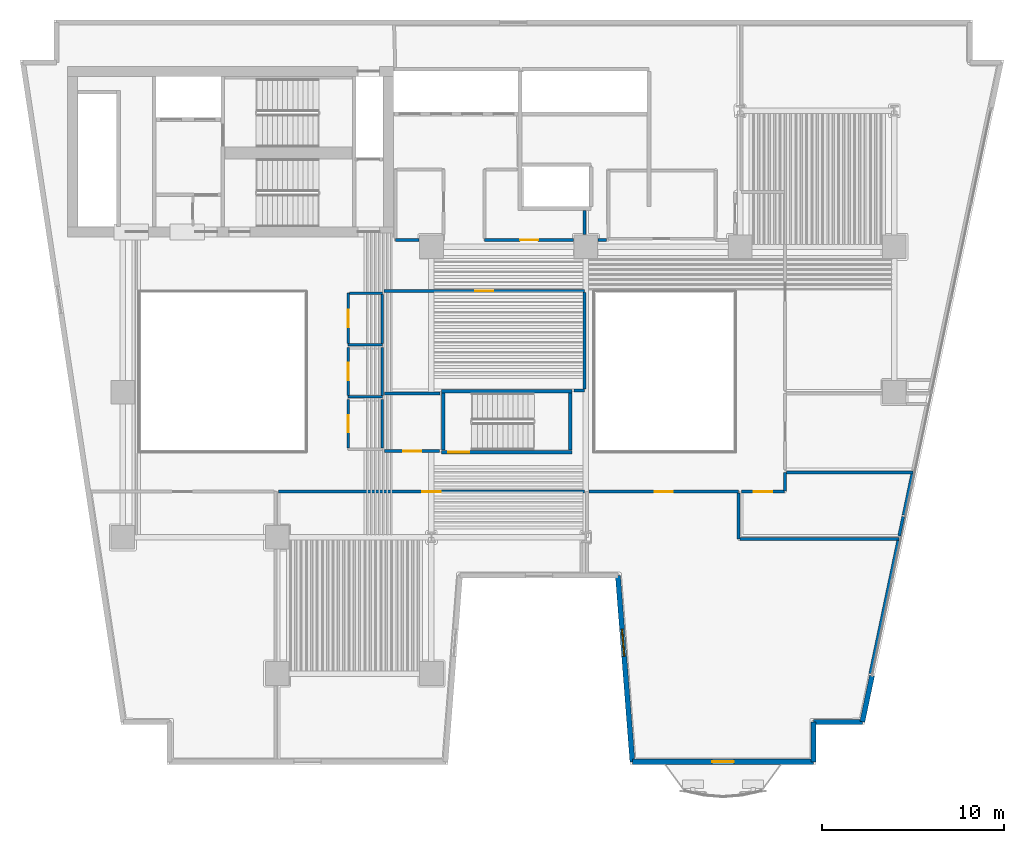
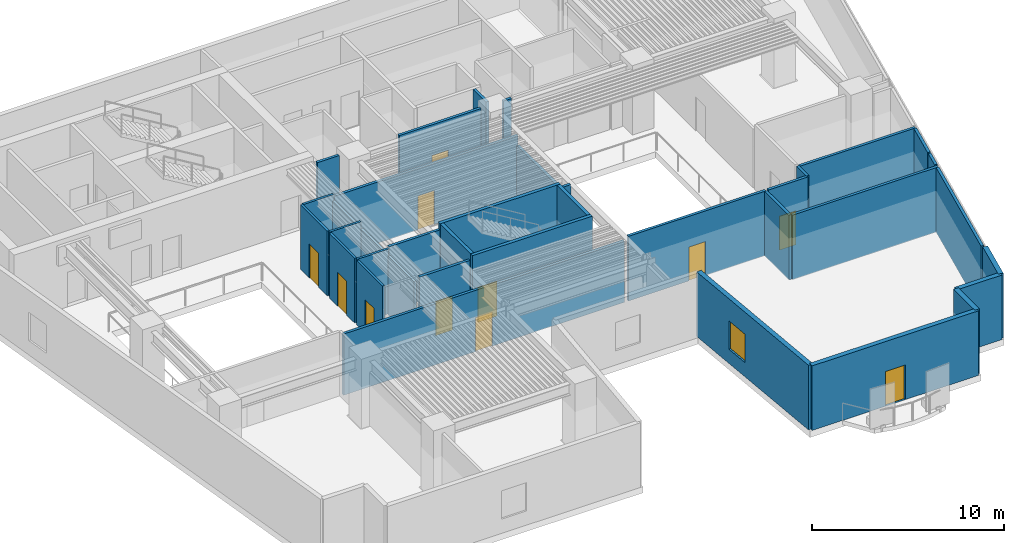
# One storey, part 4 of 12: 37 walls, 11 doors, 1 window, 12 openings.
"""IFC4 building model written with IfcOpenShell, lengths in metres."""

from ifc_helpers import new_model, si_unit, direction, frame, frame_2d, origin, place, context, subcontext, project, spatial, rectangle, extrude, material, layer, layer_set, type_object, element, fill, save


model = new_model("IFC4")

# Units and contexts
model_context = context("Model", 3, precision=1e-05, world=origin(), true_north=direction((0.0, 1.0)))
body_context = subcontext(model_context, "Body", "Model", "MODEL_VIEW")
ifc_project = project(units=[si_unit("LENGTHUNIT", "METRE"), si_unit("AREAUNIT", "SQUARE_METRE"), si_unit("VOLUMEUNIT", "CUBIC_METRE"), si_unit("PLANEANGLEUNIT", "RADIAN"), si_unit("MASSUNIT", "GRAM", prefix="KILO")], contexts=[model_context])

# Site, building, storey
site_placement = place(None, origin())
site = spatial("IfcSite", under=ifc_project, at=site_placement, CompositionType="ELEMENT")
building_placement = place(site_placement, origin())
building = spatial("IfcBuilding", under=site, at=building_placement, Name="Caeloran Harvest Quay", CompositionType="ELEMENT")
storey_placement = place(building_placement, frame((0.0, 0.0, 27.0)))
storey = spatial("IfcBuildingStorey", under=building, at=storey_placement, Name="L06", CompositionType="ELEMENT", Elevation=27.0)

# Walls
ifc_material_1 = material(Name="Precast concrete C50/60", Category="concrete")
ifc_layer_1 = layer(ifc_material_1, 0.280029296875, Name="Precast concrete C50/60")
ifc_layer_set_1 = layer_set([ifc_layer_1], Name="Precast concrete C50/60")
wall_type_1 = type_object("IfcWallType", Name="ENV-WALL-EW-280", PredefinedType="STANDARD", material=ifc_layer_set_1)
wall_1_placement = place(storey_placement, frame((49.77001953125, 7.384521484375, 0.0), z_axis=(0.0, 0.0, 1.0), x_axis=(-0.205551409765, -0.978646319128, 0.0)))
element("IfcWall", 1, at=wall_1_placement, inside=storey, type_object=wall_type_1, Name="L06 Exterior Facade Corner Pier Wall 9B", PredefinedType="STANDARD", context=body_context, shape_type="SweptSolid", body=[
    extrude(rectangle(XDim=2.599853515625, YDim=0.280029296875, at=frame_2d((1.2998046875, 0.0))), origin(), (0.0, 0.0, 1.0), 4.10009765625),
])
wall_2_placement = place(storey_placement, frame((49.235595703125, 4.840087890625, 0.0), z_axis=(0.0, 0.0, 1.0), x_axis=(-1.0, 0.0, 0.0)))
element("IfcWall", 2, at=wall_2_placement, inside=storey, type_object=wall_type_1, Name="L06 Exterior Precast Concrete Facade Wall 10", PredefinedType="STANDARD", context=body_context, shape_type="SweptSolid", body=[
    extrude(rectangle(XDim=2.6884765625, YDim=0.280029296875, at=frame_2d((1.34423828125, 0.0))), origin(), (0.0, 0.0, 1.0), 4.10009765625),
])
wall_3_placement = place(storey_placement, frame((46.547119140625, 4.840087890625, 0.0), z_axis=(0.0, 0.0, 1.0), x_axis=(0.0, -1.0, 0.0)))
element("IfcWall", 3, at=wall_3_placement, inside=storey, type_object=wall_type_1, Name="L06 Exterior Precast Concrete Facade Wall 11", PredefinedType="STANDARD", context=body_context, shape_type="SweptSolid", body=[
    extrude(rectangle(XDim=2.2001953125, YDim=0.280029296875, at=frame_2d((1.10009765625, 0.0))), origin(), (0.0, 0.0, 1.0), 4.10009765625),
])

# Wall, opening, door
wall_4_placement = place(storey_placement, frame((46.547119140625, 2.639892578125, 0.0), z_axis=(0.0, 0.0, 1.0), x_axis=(-1.0, 0.0, 0.0)))
wall_4 = element("IfcWall", 4, at=wall_4_placement, inside=storey, type_object=wall_type_1, Name="L06 Exterior Precast Concrete Facade Wall 12", PredefinedType="STANDARD", context=body_context, shape_type="SweptSolid", body=[
    extrude(rectangle(XDim=9.97705078125, YDim=0.280029296875, at=frame_2d((4.988525390625, 0.0))), origin(), (0.0, 0.0, 1.0), 4.10009765625),
])
opening_1_placement = place(wall_4_placement, frame((4.387939453125, 0.0, 0.0)))
opening_1 = element("IfcOpeningElement", 5, at=opening_1_placement, cuts=wall_4, Name="Opening BD-01", PredefinedType="OPENING", context=body_context, shape_type="SweptSolid", body=[
    extrude(rectangle(XDim=1.199951171875, YDim=2.199951171875, at=frame_2d((0.60009765625, 1.10009765625))), frame((0.0, 0.14990234375, 0.0), z_axis=(0.0, -1.0, 0.0), x_axis=(1.0, 0.0, 0.0)), (0.0, 0.0, 1.0), 0.300048828125),
])
ifc_material_2 = material(Name="Thermally Broken Powder-Coated Aluminium and Safety Glass", Category="aluminium")
door_type_1 = type_object("IfcDoorType", Name="EXTDOOR-BD-01", OperationType="NOTDEFINED", PredefinedType="DOOR", material=ifc_material_2)
door_1_placement = place(opening_1_placement, origin())
door_1 = element("IfcDoor", 6, at=door_1_placement, inside=storey, type_object=door_type_1, Name="L06 Planted Balcony Glazed Access Door", OperationType="SINGLE_SWING_LEFT", OverallHeight=2.199951171875, OverallWidth=1.199951171875, PredefinedType="DOOR", context=body_context, shape_type="SweptSolid", body=[
    extrude(rectangle(XDim=1.199951171875, YDim=2.199951171875, at=frame_2d((0.60009765625, 1.10009765625))), frame((0.0, 0.02490234375, 0.0), z_axis=(0.0, -1.0, 0.0), x_axis=(1.0, 0.0, 0.0)), (0.0, 0.0, 1.0), 0.050048828125),
])
fill(opening_1, door_1)

# Wall, opening, window
wall_5_placement = place(storey_placement, frame((36.570068359375, 2.639892578125, 0.0), z_axis=(0.0, 0.0, 1.0), x_axis=(-0.077816860153, 0.996967670627, 0.0)))
wall_5 = element("IfcWall", 7, at=wall_5_placement, inside=storey, type_object=wall_type_1, Name="L06 Exterior Precast Concrete Facade Wall 13", PredefinedType="STANDARD", context=body_context, shape_type="SweptSolid", body=[
    extrude(rectangle(XDim=10.28125, YDim=0.280029296875, at=frame_2d((5.140625, 0.0))), origin(), (0.0, 0.0, 1.0), 4.10009765625),
])
opening_2_placement = place(wall_5_placement, frame((5.830078125, 0.0, 0.89990234375)))
opening_2 = element("IfcOpeningElement", 8, at=opening_2_placement, cuts=wall_5, Name="Opening W-03", PredefinedType="OPENING", context=body_context, shape_type="SweptSolid", body=[
    extrude(rectangle(XDim=1.5, YDim=1.800048828125, at=frame_2d((0.75, 0.89990234375))), frame((0.0, 0.14990234375, 0.0), z_axis=(0.0, -1.0, 0.0), x_axis=(1.0, 0.0, 0.0)), (0.0, 0.0, 1.0), 0.300048828125),
])
ifc_material_3 = material(Name="Aluminium-Framed Low-E Laminated Glass", Category="aluminium")
window_type = type_object("IfcWindowType", Name="WIN-W-03", PartitioningType="SINGLE_PANEL", PredefinedType="WINDOW", material=ifc_material_3)
window_placement = place(opening_2_placement, origin())
window = element("IfcWindow", 9, at=window_placement, inside=storey, type_object=window_type, Name="L06 Facade Punched Window W-03", OverallHeight=1.800048828125, OverallWidth=1.5, PartitioningType="SINGLE_PANEL", PredefinedType="WINDOW", context=body_context, shape_type="SweptSolid", body=[
    extrude(rectangle(XDim=1.5, YDim=1.800048828125, at=frame_2d((0.75, 0.89990234375))), frame((0.0, 0.030029296875, 0.0), z_axis=(0.0, -1.0, 0.0), x_axis=(1.0, 0.0, 0.0)), (0.0, 0.0, 1.0), 0.06005859375),
])
fill(opening_2, window)

# Wall
ifc_material_4 = material(Name="Moisture-Resistant Cement-Board Sanitary Partition", Category="gypsum")
ifc_layer_2 = layer(ifc_material_4, 0.139892578125, Name="Moisture-Resistant Cement-Board Sanitary Partition")
ifc_layer_set_2 = layer_set([ifc_layer_2], Name="Moisture-Resistant Cement-Board Sanitary Partition")
wall_type_2 = type_object("IfcWallType", Name="INT-WALL-PW-140", PredefinedType="PARTITIONING", material=ifc_layer_set_2)
wall_6_placement = place(storey_placement, frame((22.800048828125, 25.60009765625, 0.0), z_axis=(0.0, 0.0, 1.0), x_axis=(-1.0, 0.0, 0.0)))
element("IfcWall", 10, at=wall_6_placement, inside=storey, type_object=wall_type_2, Name="L06 Male Washroom WC Partition Wall", PredefinedType="PARTITIONING", context=body_context, shape_type="SweptSolid", body=[
    extrude(rectangle(XDim=1.89013671875, YDim=0.139892578125, at=frame_2d((0.945068359375, 0.0))), origin(), (0.0, 0.0, 1.0), 4.10009765625),
])

# Wall, opening, door
wall_7_placement = place(storey_placement, frame((20.909912109375, 25.675048828125, 0.0), z_axis=(0.0, 0.0, 1.0), x_axis=(0.0, 1.0, 0.0)))
wall_7 = element("IfcWall", 11, at=wall_7_placement, inside=storey, type_object=wall_type_2, Name="L06 Male Washroom WC Partition Wall", PredefinedType="PARTITIONING", context=body_context, shape_type="SweptSolid", body=[
    extrude(rectangle(XDim=2.77490234375, YDim=0.139892578125, at=frame_2d((1.387451171875, 0.0))), origin(), (0.0, 0.0, 1.0), 4.10009765625),
])
opening_3_placement = place(wall_7_placement, frame((0.91259765625, 0.0, 0.0)))
opening_3 = element("IfcOpeningElement", 12, at=opening_3_placement, cuts=wall_7, Name="Opening WC-01", PredefinedType="OPENING", context=body_context, shape_type="SweptSolid", body=[
    extrude(rectangle(XDim=0.949951171875, YDim=2.14990234375, at=frame_2d((0.47509765625, 1.074951171875))), frame((0.0, 0.080078125, 0.0), z_axis=(0.0, -1.0, 0.0), x_axis=(1.0, 0.0, 0.0)), (0.0, 0.0, 1.0), 0.159912109375),
])
ifc_material_5 = material(Name="High-Pressure Laminate Moisture-Resistant Timber", Category="wood")
door_type_2 = type_object("IfcDoorType", Name="INTDOOR-WC-01", OperationType="NOTDEFINED", PredefinedType="DOOR", material=ifc_material_5)
door_2_placement = place(opening_3_placement, origin())
door_2 = element("IfcDoor", 13, at=door_2_placement, inside=storey, type_object=door_type_2, Name="L06 Male Washroom WC Access Door", OperationType="SINGLE_SWING_RIGHT", OverallHeight=2.14990234375, OverallWidth=0.949951171875, PredefinedType="DOOR", context=body_context, shape_type="SweptSolid", body=[
    extrude(rectangle(XDim=0.949951171875, YDim=2.14990234375, at=frame_2d((0.47509765625, 1.074951171875))), frame((0.0, 0.02490234375, 0.0), z_axis=(0.0, -1.0, 0.0), x_axis=(1.0, 0.0, 0.0)), (0.0, 0.0, 1.0), 0.050048828125),
])
fill(opening_3, door_2)

# Walls
wall_8_placement = place(storey_placement, frame((20.985107421875, 28.449951171875, 0.0), z_axis=(0.0, 0.0, 1.0), x_axis=(1.0, 0.0, 0.0)))
element("IfcWall", 14, at=wall_8_placement, inside=storey, type_object=wall_type_2, Name="L06 Male Washroom WC Partition Wall", PredefinedType="PARTITIONING", context=body_context, shape_type="SweptSolid", body=[
    extrude(rectangle(XDim=1.81494140625, YDim=0.139892578125, at=frame_2d((0.907470703125, 0.0))), origin(), (0.0, 0.0, 1.0), 4.10009765625),
])
wall_9_placement = place(storey_placement, frame((22.800048828125, 28.375, 0.0), z_axis=(0.0, 0.0, 1.0), x_axis=(0.0, -1.0, 0.0)))
element("IfcWall", 15, at=wall_9_placement, inside=storey, type_object=wall_type_2, Name="L06 Male Washroom WC Partition Wall", PredefinedType="PARTITIONING", context=body_context, shape_type="SweptSolid", body=[
    extrude(rectangle(XDim=2.699951171875, YDim=0.139892578125, at=frame_2d((1.35009765625, 0.0))), origin(), (0.0, 0.0, 1.0), 3.72509765625),
])
wall_10_placement = place(storey_placement, frame((22.800048828125, 22.75, 0.0), z_axis=(0.0, 0.0, 1.0), x_axis=(-1.0, 0.0, 0.0)))
element("IfcWall", 16, at=wall_10_placement, inside=storey, type_object=wall_type_2, Name="L06 Female Washroom WC Partition Wall", PredefinedType="PARTITIONING", context=body_context, shape_type="SweptSolid", body=[
    extrude(rectangle(XDim=1.89013671875, YDim=0.139892578125, at=frame_2d((0.945068359375, 0.0))), origin(), (0.0, 0.0, 1.0), 4.10009765625),
])

# Wall, opening, door
wall_11_placement = place(storey_placement, frame((20.909912109375, 22.824951171875, 0.0), z_axis=(0.0, 0.0, 1.0), x_axis=(0.0, 1.0, 0.0)))
wall_11 = element("IfcWall", 17, at=wall_11_placement, inside=storey, type_object=wall_type_2, Name="L06 Female Washroom WC Partition Wall", PredefinedType="PARTITIONING", context=body_context, shape_type="SweptSolid", body=[
    extrude(rectangle(XDim=2.625, YDim=0.139892578125, at=frame_2d((1.3125, 0.0))), origin(), (0.0, 0.0, 1.0), 4.10009765625),
])
opening_4_placement = place(wall_11_placement, frame((0.83740234375, 0.0, 0.0)))
opening_4 = element("IfcOpeningElement", 18, at=opening_4_placement, cuts=wall_11, Name="Opening WC-01", PredefinedType="OPENING", context=body_context, shape_type="SweptSolid", body=[
    extrude(rectangle(XDim=0.949951171875, YDim=2.14990234375, at=frame_2d((0.47509765625, 1.074951171875))), frame((0.0, 0.080078125, 0.0), z_axis=(0.0, -1.0, 0.0), x_axis=(1.0, 0.0, 0.0)), (0.0, 0.0, 1.0), 0.159912109375),
])
door_3_placement = place(opening_4_placement, origin())
door_3 = element("IfcDoor", 19, at=door_3_placement, inside=storey, type_object=door_type_2, Name="L06 Female Washroom WC Access Door", OperationType="SINGLE_SWING_LEFT", OverallHeight=2.14990234375, OverallWidth=0.949951171875, PredefinedType="DOOR", context=body_context, shape_type="SweptSolid", body=[
    extrude(rectangle(XDim=0.949951171875, YDim=2.14990234375, at=frame_2d((0.47509765625, 1.074951171875))), frame((0.0, 0.02490234375, 0.0), z_axis=(0.0, -1.0, 0.0), x_axis=(1.0, 0.0, 0.0)), (0.0, 0.0, 1.0), 0.050048828125),
])
fill(opening_4, door_3)

# Wall
wall_12_placement = place(storey_placement, frame((22.800048828125, 25.449951171875, 0.0), z_axis=(0.0, 0.0, 1.0), x_axis=(0.0, -1.0, 0.0)))
element("IfcWall", 20, at=wall_12_placement, inside=storey, type_object=wall_type_2, Name="L06 Female Washroom WC Partition Wall", PredefinedType="PARTITIONING", context=body_context, shape_type="SweptSolid", body=[
    extrude(rectangle(XDim=2.625, YDim=0.139892578125, at=frame_2d((1.3125, 0.0))), origin(), (0.0, 0.0, 1.0), 3.72509765625),
])

# Wall, opening, door
wall_13_placement = place(storey_placement, frame((20.909912109375, 19.925048828125, 0.0), z_axis=(0.0, 0.0, 1.0), x_axis=(0.0, 1.0, 0.0)))
wall_13 = element("IfcWall", 21, at=wall_13_placement, inside=storey, type_object=wall_type_2, Name="L06 Accessible Unisex Washroom WC Partition Wall", PredefinedType="PARTITIONING", context=body_context, shape_type="SweptSolid", body=[
    extrude(rectangle(XDim=2.675048828125, YDim=0.139892578125, at=frame_2d((1.33740234375, 0.0))), origin(), (0.0, 0.0, 1.0), 4.10009765625),
])
opening_5_placement = place(wall_13_placement, frame((0.862548828125, 0.0, 0.0)))
opening_5 = element("IfcOpeningElement", 22, at=opening_5_placement, cuts=wall_13, Name="Opening WC-01", PredefinedType="OPENING", context=body_context, shape_type="SweptSolid", body=[
    extrude(rectangle(XDim=0.949951171875, YDim=2.14990234375, at=frame_2d((0.47509765625, 1.074951171875))), frame((0.0, 0.080078125, 0.0), z_axis=(0.0, -1.0, 0.0), x_axis=(1.0, 0.0, 0.0)), (0.0, 0.0, 1.0), 0.159912109375),
])
door_4_placement = place(opening_5_placement, origin())
door_4 = element("IfcDoor", 23, at=door_4_placement, inside=storey, type_object=door_type_2, Name="L06 Accessible Unisex Washroom WC Access Door", OperationType="SINGLE_SWING_RIGHT", OverallHeight=2.14990234375, OverallWidth=0.949951171875, PredefinedType="DOOR", context=body_context, shape_type="SweptSolid", body=[
    extrude(rectangle(XDim=0.949951171875, YDim=2.14990234375, at=frame_2d((0.47509765625, 1.074951171875))), frame((0.0, 0.02490234375, 0.0), z_axis=(0.0, -1.0, 0.0), x_axis=(1.0, 0.0, 0.0)), (0.0, 0.0, 1.0), 0.050048828125),
])
fill(opening_5, door_4)

# Wall
wall_14_placement = place(storey_placement, frame((22.800048828125, 22.60009765625, 0.0), z_axis=(0.0, 0.0, 1.0), x_axis=(0.0, -1.0, 0.0)))
element("IfcWall", 24, at=wall_14_placement, inside=storey, type_object=wall_type_2, Name="L06 Accessible Unisex Washroom WC Partition Wall", PredefinedType="PARTITIONING", context=body_context, shape_type="SweptSolid", body=[
    extrude(rectangle(XDim=2.675048828125, YDim=0.139892578125, at=frame_2d((1.33740234375, 0.0))), origin(), (0.0, 0.0, 1.0), 3.72509765625),
])

# Wall, opening, door
ifc_material_6 = material(Name="Autoclaved Aerated Concrete Blockwork", Category="masonry")
ifc_layer_3 = layer(ifc_material_6, 0.1650390625, Name="Autoclaved Aerated Concrete Blockwork")
ifc_layer_set_3 = layer_set([ifc_layer_3], Name="Autoclaved Aerated Concrete Blockwork")
wall_type_3 = type_object("IfcWallType", Name="INT-WALL-PW-165", PredefinedType="PARTITIONING", material=ifc_layer_set_3)
wall_15_placement = place(storey_placement, frame((34.16748046875, 17.52001953125, 0.0), z_axis=(0.0, 0.0, 1.0), x_axis=(1.0, 0.0, 0.0)))
wall_15 = element("IfcWall", 25, at=wall_15_placement, inside=storey, type_object=wall_type_3, Name="Leafy-Greens Hydroponic Growing Hall Partition Wall", PredefinedType="PARTITIONING", context=body_context, shape_type="SweptSolid", body=[
    extrude(rectangle(XDim=8.25244140625, YDim=0.1650390625, at=frame_2d((4.126220703125, 0.0))), origin(), (0.0, 0.0, 1.0), 4.10009765625),
])
opening_6_placement = place(wall_15_placement, frame((3.626220703125, 0.0, 0.0)))
opening_6 = element("IfcOpeningElement", 26, at=opening_6_placement, cuts=wall_15, Name="Opening ID-01", PredefinedType="OPENING", context=body_context, shape_type="SweptSolid", body=[
    extrude(rectangle(XDim=1.0, YDim=2.14990234375, at=frame_2d((0.5, 1.074951171875))), frame((0.0, 0.092529296875, 0.0), z_axis=(0.0, -1.0, 0.0), x_axis=(1.0, 0.0, 0.0)), (0.0, 0.0, 1.0), 0.18505859375),
])
ifc_material_7 = material(Name="FSC Solid-Core Ash Timber and Acoustic Seal", Category="wood")
door_type_3 = type_object("IfcDoorType", Name="INTDOOR-ID-01", OperationType="NOTDEFINED", PredefinedType="DOOR", material=ifc_material_7)
door_5_placement = place(opening_6_placement, origin())
door_5 = element("IfcDoor", 27, at=door_5_placement, inside=storey, type_object=door_type_3, Name="Leafy-Greens Hydroponic Growing Hall Access Door", OperationType="SINGLE_SWING_LEFT", OverallHeight=2.14990234375, OverallWidth=1.0, PredefinedType="DOOR", context=body_context, shape_type="SweptSolid", body=[
    extrude(rectangle(XDim=1.0, YDim=2.14990234375, at=frame_2d((0.5, 1.074951171875))), frame((0.0, 0.02490234375, 0.0), z_axis=(0.0, -1.0, 0.0), x_axis=(1.0, 0.0, 0.0)), (0.0, 0.0, 1.0), 0.050048828125),
])
fill(opening_6, door_5)

# Walls
wall_16_placement = place(storey_placement, frame((42.419921875, 17.4326171875, 0.0), z_axis=(0.0, 0.0, 1.0), x_axis=(0.0, -1.0, 0.0)))
element("IfcWall", 28, at=wall_16_placement, inside=storey, type_object=wall_type_3, Name="Leafy-Greens Hydroponic Growing Hall Partition Wall", PredefinedType="PARTITIONING", context=body_context, shape_type="SweptSolid", body=[
    extrude(rectangle(XDim=2.5126953125, YDim=0.1650390625, at=frame_2d((1.25634765625, 0.0))), origin(), (0.0, 0.0, 1.0), 4.10009765625),
])
wall_17_placement = place(storey_placement, frame((42.507568359375, 14.919921875, 0.0), z_axis=(0.0, 0.0, 1.0), x_axis=(1.0, 0.0, 0.0)))
element("IfcWall", 29, at=wall_17_placement, inside=storey, type_object=wall_type_3, Name="Leafy-Greens Hydroponic Growing Hall Partition Wall", PredefinedType="PARTITIONING", context=body_context, shape_type="SweptSolid", body=[
    extrude(rectangle(XDim=8.73828125, YDim=0.1650390625, at=frame_2d((4.369140625, 0.0))), origin(), (0.0, 0.0, 1.0), 4.10009765625),
])
wall_18_placement = place(storey_placement, frame((51.211669921875, 14.83251953125, 0.0), z_axis=(0.0, 0.0, 1.0), x_axis=(-0.205558750788, -0.978644777217, 0.0)))
element("IfcWall", 30, at=wall_18_placement, inside=storey, type_object=wall_type_3, Name="Leafy-Greens Hydroponic Growing Hall Partition Wall", PredefinedType="PARTITIONING", context=body_context, shape_type="SweptSolid", body=[
    extrude(rectangle(XDim=7.49072265625, YDim=0.1650390625, at=frame_2d((3.745361328125, 0.0))), origin(), (0.0, 0.0, 1.0), 4.10009765625),
])

# Wall, opening, door
wall_19_placement = place(storey_placement, frame((17.080078125, 17.52001953125, 0.0), z_axis=(0.0, 0.0, 1.0), x_axis=(1.0, 0.0, 0.0)))
wall_19 = element("IfcWall", 31, at=wall_19_placement, inside=storey, type_object=wall_type_3, Name="Seedling Nursery Room Partition Wall", PredefinedType="PARTITIONING", context=body_context, shape_type="SweptSolid", body=[
    extrude(rectangle(XDim=16.83984375, YDim=0.1650390625, at=frame_2d((8.419921875, 0.0))), origin(), (0.0, 0.0, 1.0), 3.885009765625),
])
opening_7_placement = place(wall_19_placement, frame((7.919921875, 0.0, 0.0)))
opening_7 = element("IfcOpeningElement", 32, at=opening_7_placement, cuts=wall_19, Name="Opening ID-01", PredefinedType="OPENING", context=body_context, shape_type="SweptSolid", body=[
    extrude(rectangle(XDim=1.0, YDim=2.14990234375, at=frame_2d((0.5, 1.074951171875))), frame((0.0, 0.092529296875, 0.0), z_axis=(0.0, -1.0, 0.0), x_axis=(1.0, 0.0, 0.0)), (0.0, 0.0, 1.0), 0.18505859375),
])
door_6_placement = place(opening_7_placement, origin())
door_6 = element("IfcDoor", 33, at=door_6_placement, inside=storey, type_object=door_type_3, Name="Seedling Nursery Room Access Door", OperationType="SINGLE_SWING_LEFT", OverallHeight=2.14990234375, OverallWidth=1.0, PredefinedType="DOOR", context=body_context, shape_type="SweptSolid", body=[
    extrude(rectangle(XDim=1.0, YDim=2.14990234375, at=frame_2d((0.5, 1.074951171875))), frame((0.0, 0.02490234375, 0.0), z_axis=(0.0, -1.0, 0.0), x_axis=(1.0, 0.0, 0.0)), (0.0, 0.0, 1.0), 0.050048828125),
])
fill(opening_7, door_6)

# Walls
wall_20_placement = place(storey_placement, frame((44.97998046875, 17.550048828125, 0.0), z_axis=(0.0, 0.0, 1.0), x_axis=(0.0, 1.0, 0.0)))
element("IfcWall", 34, at=wall_20_placement, inside=storey, type_object=wall_type_3, Name="Nutrient QA Laboratory Partition Wall", PredefinedType="PARTITIONING", context=body_context, shape_type="SweptSolid", body=[
    extrude(rectangle(XDim=1.02001953125, YDim=0.1650390625, at=frame_2d((0.510009765625, 0.0))), origin(), (0.0, 0.0, 1.0), 4.10009765625),
])
wall_21_placement = place(storey_placement, frame((45.0673828125, 18.570068359375, 0.0), z_axis=(0.0, 0.0, 1.0), x_axis=(1.0, 0.0, 0.0)))
element("IfcWall", 35, at=wall_21_placement, inside=storey, type_object=wall_type_3, Name="Nutrient QA Laboratory Partition Wall", PredefinedType="PARTITIONING", context=body_context, shape_type="SweptSolid", body=[
    extrude(rectangle(XDim=6.945068359375, YDim=0.1650390625, at=frame_2d((3.47265625, 0.0))), origin(), (0.0, 0.0, 1.0), 4.10009765625),
])
wall_22_placement = place(storey_placement, frame((51.978515625, 18.482421875, 0.0), z_axis=(0.0, 0.0, 1.0), x_axis=(-0.205352569868, -0.978688061666, 0.0)))
element("IfcWall", 36, at=wall_22_placement, inside=storey, type_object=wall_type_3, Name="Nutrient QA Laboratory Partition Wall", PredefinedType="PARTITIONING", context=body_context, shape_type="SweptSolid", body=[
    extrude(rectangle(XDim=2.300537109375, YDim=0.1650390625, at=frame_2d((1.150390625, 0.0))), origin(), (0.0, 0.0, 1.0), 4.10009765625),
])
wall_23_placement = place(storey_placement, frame((51.486572265625, 16.138427734375, 0.0), z_axis=(0.0, 0.0, 1.0), x_axis=(-0.205873957853, -0.978578516767, 0.0)))
element("IfcWall", 37, at=wall_23_placement, inside=storey, type_object=wall_type_3, Name="Nutrient QA Laboratory Partition Wall", PredefinedType="PARTITIONING", context=body_context, shape_type="SweptSolid", body=[
    extrude(rectangle(XDim=1.08154296875, YDim=0.1650390625, at=frame_2d((0.540771484375, 0.0))), origin(), (0.0, 0.0, 1.0), 4.10009765625),
])

# Wall, opening, door
wall_24_placement = place(storey_placement, frame((42.580078125, 17.52001953125, 0.0), z_axis=(0.0, 0.0, 1.0), x_axis=(1.0, 0.0, 0.0)))
wall_24 = element("IfcWall", 38, at=wall_24_placement, inside=storey, type_object=wall_type_3, Name="Nutrient QA Laboratory Partition Wall", PredefinedType="PARTITIONING", context=body_context, shape_type="SweptSolid", body=[
    extrude(rectangle(XDim=2.369873046875, YDim=0.1650390625, at=frame_2d((1.18505859375, 0.0))), origin(), (0.0, 0.0, 1.0), 4.10009765625),
])
opening_8_placement = place(wall_24_placement, frame((0.68505859375, 0.0, 0.0)))
opening_8 = element("IfcOpeningElement", 39, at=opening_8_placement, cuts=wall_24, Name="Opening ID-01", PredefinedType="OPENING", context=body_context, shape_type="SweptSolid", body=[
    extrude(rectangle(XDim=1.0, YDim=2.14990234375, at=frame_2d((0.5, 1.074951171875))), frame((0.0, 0.092529296875, 0.0), z_axis=(0.0, -1.0, 0.0), x_axis=(1.0, 0.0, 0.0)), (0.0, 0.0, 1.0), 0.18505859375),
])
door_7_placement = place(opening_8_placement, origin())
door_7 = element("IfcDoor", 40, at=door_7_placement, inside=storey, type_object=door_type_3, Name="Nutrient QA Laboratory Access Door", OperationType="SINGLE_SWING_RIGHT", OverallHeight=2.14990234375, OverallWidth=1.0, PredefinedType="DOOR", context=body_context, shape_type="SweptSolid", body=[
    extrude(rectangle(XDim=1.0, YDim=2.14990234375, at=frame_2d((0.5, 1.074951171875))), frame((0.0, 0.02490234375, 0.0), z_axis=(0.0, -1.0, 0.0), x_axis=(1.0, 0.0, 0.0)), (0.0, 0.0, 1.0), 0.050048828125),
])
fill(opening_8, door_7)

wall_25_placement = place(storey_placement, frame((25.95556640625, 19.75, 0.0), z_axis=(0.0, 0.0, 1.0), x_axis=(-1.0, 0.0, 0.0)))
wall_25 = element("IfcWall", 41, at=wall_25_placement, inside=storey, type_object=wall_type_3, Name="Agronomist Office Partition Wall", PredefinedType="PARTITIONING", context=body_context, shape_type="SweptSolid", body=[
    extrude(rectangle(XDim=3.045654296875, YDim=0.1650390625, at=frame_2d((1.52294921875, 0.0))), origin(), (0.0, 0.0, 1.0), 4.10009765625),
])
opening_9_placement = place(wall_25_placement, frame((1.022705078125, 0.0, 0.0)))
opening_9 = element("IfcOpeningElement", 42, at=opening_9_placement, cuts=wall_25, Name="Opening ID-01", PredefinedType="OPENING", context=body_context, shape_type="SweptSolid", body=[
    extrude(rectangle(XDim=1.0, YDim=2.14990234375, at=frame_2d((0.5, 1.074951171875))), frame((0.0, 0.092529296875, 0.0), z_axis=(0.0, -1.0, 0.0), x_axis=(1.0, 0.0, 0.0)), (0.0, 0.0, 1.0), 0.18505859375),
])
door_8_placement = place(opening_9_placement, origin())
door_8 = element("IfcDoor", 43, at=door_8_placement, inside=storey, type_object=door_type_3, Name="Agronomist Office Access Door", OperationType="SINGLE_SWING_RIGHT", OverallHeight=2.14990234375, OverallWidth=1.0, PredefinedType="DOOR", context=body_context, shape_type="SweptSolid", body=[
    extrude(rectangle(XDim=1.0, YDim=2.14990234375, at=frame_2d((0.5, 1.074951171875))), frame((0.0, 0.02490234375, 0.0), z_axis=(0.0, -1.0, 0.0), x_axis=(1.0, 0.0, 0.0)), (0.0, 0.0, 1.0), 0.050048828125),
])
fill(opening_9, door_8)

# Walls
wall_26_placement = place(storey_placement, frame((22.909912109375, 22.919921875, 0.0), z_axis=(0.0, 0.0, 1.0), x_axis=(1.0, 0.0, 0.0)))
element("IfcWall", 44, at=wall_26_placement, inside=storey, type_object=wall_type_3, Name="Agronomist Office Partition Wall", PredefinedType="PARTITIONING", context=body_context, shape_type="SweptSolid", body=[
    extrude(rectangle(XDim=3.050537109375, YDim=0.1650390625, at=frame_2d((1.525390625, 0.0))), origin(), (0.0, 0.0, 1.0), 4.10009765625),
])
wall_27_placement = place(storey_placement, frame((33.919921875, 23.080078125, 0.0), z_axis=(0.0, 0.0, 1.0), x_axis=(-1.0, 0.0, 0.0)))
element("IfcWall", 45, at=wall_27_placement, inside=storey, type_object=wall_type_3, Name="Staff Tea Lounge Partition Wall", PredefinedType="PARTITIONING", context=body_context, shape_type="SweptSolid", body=[
    extrude(rectangle(XDim=0.575439453125, YDim=0.1650390625, at=frame_2d((0.28759765625, 0.0))), origin(), (0.0, 0.0, 1.0), 4.10009765625),
])

# Wall, opening, door
wall_28_placement = place(storey_placement, frame((22.889892578125, 28.570068359375, 0.0), z_axis=(0.0, 0.0, 1.0), x_axis=(1.0, 0.0, 0.0)))
wall_28 = element("IfcWall", 46, at=wall_28_placement, inside=storey, type_object=wall_type_3, Name="Staff Tea Lounge Partition Wall", PredefinedType="PARTITIONING", context=body_context, shape_type="SweptSolid", body=[
    extrude(rectangle(XDim=11.030029296875, YDim=0.1650390625, at=frame_2d((5.51513671875, 0.0))), origin(), (0.0, 0.0, 1.0), 3.885009765625),
])
opening_10_placement = place(wall_28_placement, frame((5.014892578125, 0.0, 0.0)))
opening_10 = element("IfcOpeningElement", 47, at=opening_10_placement, cuts=wall_28, Name="Opening ID-01", PredefinedType="OPENING", context=body_context, shape_type="SweptSolid", body=[
    extrude(rectangle(XDim=1.0, YDim=2.14990234375, at=frame_2d((0.5, 1.074951171875))), frame((0.0, 0.092529296875, 0.0), z_axis=(0.0, -1.0, 0.0), x_axis=(1.0, 0.0, 0.0)), (0.0, 0.0, 1.0), 0.18505859375),
])
door_9_placement = place(opening_10_placement, origin())
door_9 = element("IfcDoor", 48, at=door_9_placement, inside=storey, type_object=door_type_3, Name="Staff Tea Lounge Access Door", OperationType="SINGLE_SWING_LEFT", OverallHeight=2.14990234375, OverallWidth=1.0, PredefinedType="DOOR", context=body_context, shape_type="SweptSolid", body=[
    extrude(rectangle(XDim=1.0, YDim=2.14990234375, at=frame_2d((0.5, 1.074951171875))), frame((0.0, 0.02490234375, 0.0), z_axis=(0.0, -1.0, 0.0), x_axis=(1.0, 0.0, 0.0)), (0.0, 0.0, 1.0), 0.050048828125),
])
fill(opening_10, door_9)

# Walls
wall_29_placement = place(storey_placement, frame((33.919921875, 28.482421875, 0.0), z_axis=(0.0, 0.0, 1.0), x_axis=(0.0, -1.0, 0.0)))
element("IfcWall", 49, at=wall_29_placement, inside=storey, type_object=wall_type_3, Name="Staff Tea Lounge Partition Wall", PredefinedType="PARTITIONING", context=body_context, shape_type="SweptSolid", body=[
    extrude(rectangle(XDim=5.31494140625, YDim=0.1650390625, at=frame_2d((2.657470703125, 0.0))), origin(), (0.0, 0.0, 1.0), 3.284912109375),
])
wall_30_placement = place(storey_placement, frame((33.919921875, 33.014892578125, 0.0), z_axis=(0.0, 0.0, 1.0), x_axis=(0.0, -1.0, 0.0)))
element("IfcWall", 50, at=wall_30_placement, inside=storey, type_object=wall_type_3, Name="Equipment Sterilisation Room Partition Wall", PredefinedType="PARTITIONING", context=body_context, shape_type="SweptSolid", body=[
    extrude(rectangle(XDim=1.33984375, YDim=0.1650390625, at=frame_2d((0.669921875, 0.0))), origin(), (0.0, 0.0, 1.0), 4.10009765625),
])

# Wall, opening, door
wall_31_placement = place(storey_placement, frame((33.324951171875, 31.3798828125, 0.0), z_axis=(0.0, 0.0, 1.0), x_axis=(-1.0, 0.0, 0.0)))
wall_31 = element("IfcWall", 51, at=wall_31_placement, inside=storey, type_object=wall_type_3, Name="Equipment Sterilisation Room Partition Wall", PredefinedType="PARTITIONING", context=body_context, shape_type="SweptSolid", body=[
    extrude(rectangle(XDim=4.89501953125, YDim=0.1650390625, at=frame_2d((2.447509765625, 0.0))), origin(), (0.0, 0.0, 1.0), 4.10009765625),
])
opening_11_placement = place(wall_31_placement, frame((1.947509765625, 0.0, 0.0)))
opening_11 = element("IfcOpeningElement", 52, at=opening_11_placement, cuts=wall_31, Name="Opening ID-01", PredefinedType="OPENING", context=body_context, shape_type="SweptSolid", body=[
    extrude(rectangle(XDim=1.0, YDim=2.14990234375, at=frame_2d((0.5, 1.074951171875))), frame((0.0, 0.092529296875, 0.0), z_axis=(0.0, -1.0, 0.0), x_axis=(1.0, 0.0, 0.0)), (0.0, 0.0, 1.0), 0.18505859375),
])
door_10_placement = place(opening_11_placement, origin())
door_10 = element("IfcDoor", 53, at=door_10_placement, inside=storey, type_object=door_type_3, Name="Equipment Sterilisation Room Access Door", OperationType="SINGLE_SWING_RIGHT", OverallHeight=2.14990234375, OverallWidth=1.0, PredefinedType="DOOR", context=body_context, shape_type="SweptSolid", body=[
    extrude(rectangle(XDim=1.0, YDim=2.14990234375, at=frame_2d((0.5, 1.074951171875))), frame((0.0, 0.02490234375, 0.0), z_axis=(0.0, -1.0, 0.0), x_axis=(1.0, 0.0, 0.0)), (0.0, 0.0, 1.0), 0.050048828125),
])
fill(opening_11, door_10)

# Walls
wall_32_placement = place(storey_placement, frame((24.824951171875, 31.3798828125, 0.0), z_axis=(0.0, 0.0, 1.0), x_axis=(-1.0, 0.0, 0.0)))
element("IfcWall", 54, at=wall_32_placement, inside=storey, type_object=wall_type_3, Name="Leafy-Greens Hydroponic Growing Hall 9 Partition Wall", PredefinedType="PARTITIONING", context=body_context, shape_type="SweptSolid", body=[
    extrude(rectangle(XDim=1.31494140625, YDim=0.1650390625, at=frame_2d((0.657470703125, 0.0))), origin(), (0.0, 0.0, 1.0), 4.10009765625),
])
wall_33_placement = place(storey_placement, frame((35.155517578125, 31.3798828125, 0.0), z_axis=(0.0, 0.0, 1.0), x_axis=(-1.0, 0.0, 0.0)))
element("IfcWall", 55, at=wall_33_placement, inside=storey, type_object=wall_type_3, Name="Seedling Nursery Room 11 Partition Wall", PredefinedType="PARTITIONING", context=body_context, shape_type="SweptSolid", body=[
    extrude(rectangle(XDim=0.48046875, YDim=0.1650390625, at=frame_2d((0.240234375, 0.0))), origin(), (0.0, 0.0, 1.0), 4.10009765625),
])

# Wall, opening, door
ifc_material_8 = material(Name="Concrete C60/75", Category="concrete")
ifc_layer_4 = layer(ifc_material_8, 0.199951171875, Name="Concrete C60/75")
ifc_layer_set_4 = layer_set([ifc_layer_4], Name="Concrete C60/75")
wall_type_4 = type_object("IfcWallType", Name="STR-WALL-SW-200", PredefinedType="SHEAR", material=ifc_layer_set_4)
wall_34_placement = place(storey_placement, frame((26.050048828125, 19.699951171875, 0.0), z_axis=(0.0, 0.0, 1.0), x_axis=(1.0, 0.0, 0.0)))
wall_34 = element("IfcWall", 56, at=wall_34_placement, inside=storey, type_object=wall_type_4, Name="L06 Stair ST-W1 S RC Shaft Shear Wall", PredefinedType="SHEAR", context=body_context, shape_type="SweptSolid", body=[
    extrude(rectangle(XDim=7.199951171875, YDim=0.199951171875, at=frame_2d((3.60009765625, 0.0))), origin(), (0.0, 0.0, 1.0), 4.39990234375),
])
opening_12_placement = place(wall_34_placement, frame((0.3798828125, 0.0, 0.0)))
opening_12 = element("IfcOpeningElement", 57, at=opening_12_placement, cuts=wall_34, Name="Opening SD-01", PredefinedType="OPENING", context=body_context, shape_type="SweptSolid", body=[
    extrude(rectangle(XDim=1.14990234375, YDim=2.199951171875, at=frame_2d((0.574951171875, 1.10009765625))), frame((0.0, 0.10986328125, 0.0), z_axis=(0.0, -1.0, 0.0), x_axis=(1.0, 0.0, 0.0)), (0.0, 0.0, 1.0), 0.219970703125),
])
ifc_material_9 = material(Name="Steel", Category="steel")
door_type_4 = type_object("IfcDoorType", Name="INTDOOR-SD-01", OperationType="NOTDEFINED", PredefinedType="DOOR", material=ifc_material_9)
door_11_placement = place(opening_12_placement, origin())
door_11 = element("IfcDoor", 58, at=door_11_placement, inside=storey, type_object=door_type_4, Name="L06 Protected Exit Stair ST-W1 Fire Door", OperationType="SINGLE_SWING_RIGHT", OverallHeight=2.199951171875, OverallWidth=1.14990234375, PredefinedType="DOOR", context=body_context, shape_type="SweptSolid", body=[
    extrude(rectangle(XDim=1.14990234375, YDim=2.199951171875, at=frame_2d((0.574951171875, 1.10009765625))), frame((0.0, 0.02490234375, 0.0), z_axis=(0.0, -1.0, 0.0), x_axis=(1.0, 0.0, 0.0)), (0.0, 0.0, 1.0), 0.050048828125),
])
fill(opening_12, door_11)

# Walls
wall_35_placement = place(storey_placement, frame((26.050048828125, 23.050048828125, 0.0), z_axis=(0.0, 0.0, 1.0), x_axis=(1.0, 0.0, 0.0)))
element("IfcWall", 59, at=wall_35_placement, inside=storey, type_object=wall_type_4, Name="L06 Stair ST-W1 N RC Shaft Shear Wall", PredefinedType="SHEAR", context=body_context, shape_type="SweptSolid", body=[
    extrude(rectangle(XDim=7.199951171875, YDim=0.199951171875, at=frame_2d((3.60009765625, 0.0))), origin(), (0.0, 0.0, 1.0), 4.39990234375),
])
for number, where, z_axis, x_axis, name in (
    (60, (26.14990234375, 19.81005859375, 0.0), (0.0, 0.0, 1.0), (0.0, 1.0, 0.0), "L06 Stair ST-W1 W RC Shaft Shear Wall"),
    (61, (33.14990234375, 19.81005859375, 0.0), (0.0, 0.0, 1.0), (0.0, 1.0, 0.0), "L06 Stair ST-W1 E RC Shaft Shear Wall"),
):
    element("IfcWall", number, at=place(storey_placement, frame(where, z_axis=z_axis, x_axis=x_axis)), inside=storey, type_object=wall_type_4, Name=name, PredefinedType="SHEAR", context=body_context, shape_type="SweptSolid", body=[
        extrude(rectangle(XDim=3.1298828125, YDim=0.199951171875, at=frame_2d((1.56494140625, 0.0))), origin(), (0.0, 0.0, 1.0), 4.39990234375),
    ])

save(model, "model.ifc")
